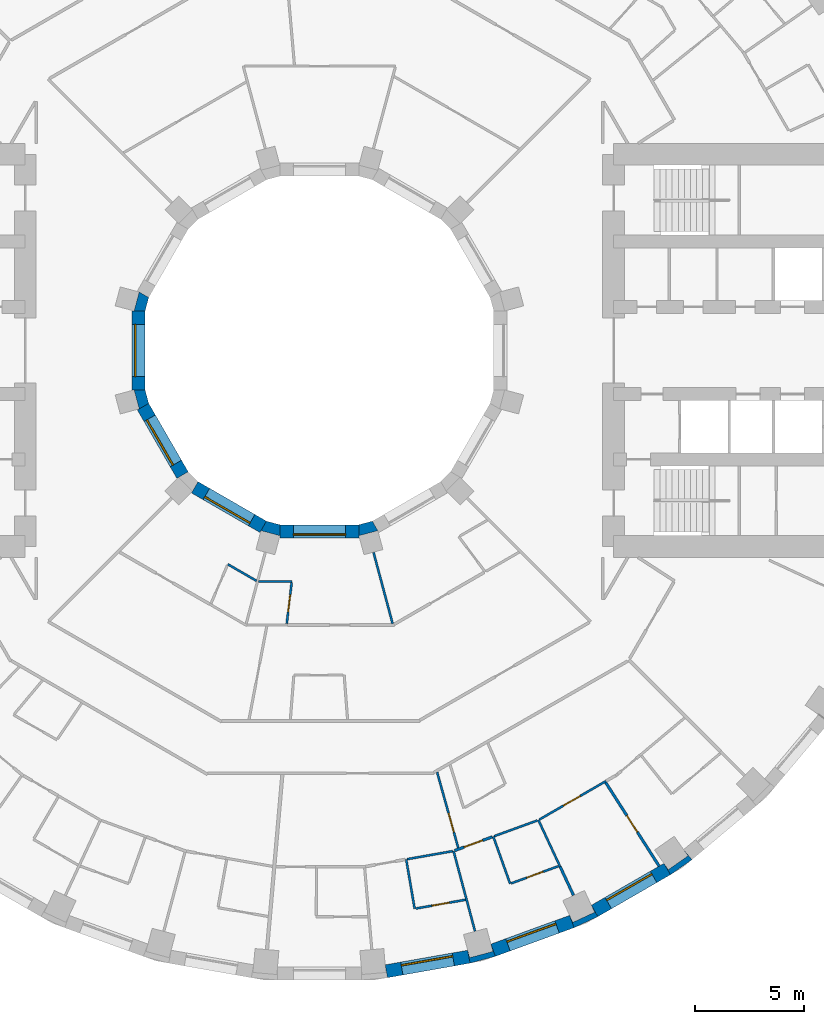
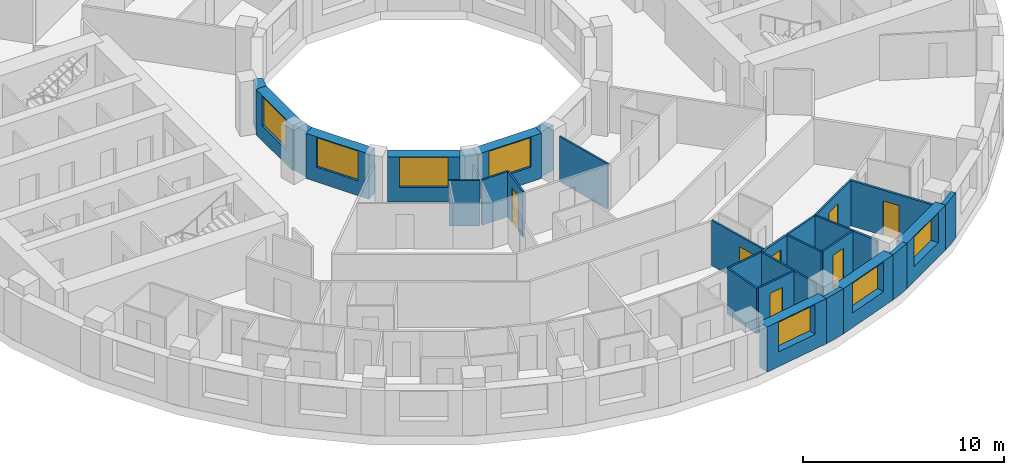
# One storey, part 7 of 15: 31 walls, 7 doors, 7 windows, 14 openings.
"""IFC4 building model written with IfcOpenShell, lengths in metres."""

from ifc_helpers import new_model, si_unit, direction, frame, frame_2d, origin, place, context, subcontext, project, spatial, polyline, rectangle, outline, extrude, material, layer, layer_set, type_object, element, fill, save


model = new_model("IFC4")

# Units and contexts
model_context = context("Model", 3, precision=1e-05, world=origin(), true_north=direction((0.0, 1.0)))
body_context = subcontext(model_context, "Body", "Model", "MODEL_VIEW")
ifc_project = project(units=[si_unit("LENGTHUNIT", "METRE"), si_unit("AREAUNIT", "SQUARE_METRE"), si_unit("VOLUMEUNIT", "CUBIC_METRE"), si_unit("PLANEANGLEUNIT", "RADIAN"), si_unit("MASSUNIT", "GRAM", prefix="KILO")], contexts=[model_context])

# Site, building, storey
site_placement = place(None, origin())
site = spatial("IfcSite", under=ifc_project, at=site_placement, CompositionType="ELEMENT")
building_placement = place(site_placement, origin())
building = spatial("IfcBuilding", under=site, at=building_placement, Name="Saqina Gate Tower", CompositionType="ELEMENT")
storey_placement = place(building_placement, frame((0.0, 0.0, 75.800048828125)))
storey = spatial("IfcBuildingStorey", under=building, at=storey_placement, Name="L21", CompositionType="ELEMENT", Elevation=75.800048828125)

# Walls
ifc_material_1 = material(Name="Brick masonry (red)", Category="masonry")
wall_type_1 = type_object("IfcWallType", Name="BRICK PIER COPING RED", PredefinedType="SOLIDWALL", material=ifc_material_1)
wall_1_placement = place(storey_placement, origin())
element("IfcWall", 1, at=wall_1_placement, inside=storey, type_object=wall_type_1, Name="Pier cap L21 column 29", PredefinedType="SOLIDWALL", context=body_context, shape_type="SweptSolid", body=[
    extrude(outline(polyline([(6.910400390625, -28.11669921875), (8.073974609375, -27.80517578125), (7.86865234375, -27.2412109375), (7.95947265625, -27.57958984375), (6.896728515625, -27.864501953125), (6.80615234375, -27.52587890625), (6.910400390625, -28.11669921875)])), origin(), (0.0, 0.0, 1.0), 2.75),
])
wall_2_placement = place(storey_placement, origin())
element("IfcWall", 2, at=wall_2_placement, inside=storey, type_object=wall_type_1, Name="Pier cap L21 column 30", PredefinedType="SOLIDWALL", context=body_context, shape_type="SweptSolid", body=[
    extrude(outline(polyline([(12.779541015625, -25.980712890625), (12.4794921875, -25.4609375), (12.627685546875, -25.778564453125), (11.630615234375, -26.243408203125), (11.482666015625, -25.92578125), (11.687744140625, -26.48974609375), (12.779541015625, -25.980712890625)])), origin(), (0.0, 0.0, 1.0), 2.75),
])
wall_3_placement = place(storey_placement, origin())
element("IfcWall", 3, at=wall_3_placement, inside=storey, type_object=wall_type_1, Name="Pier cap L21 column 31", PredefinedType="SOLIDWALL", context=body_context, shape_type="SweptSolid", body=[
    extrude(outline(polyline([(16.110107421875, -24.0576171875), (17.096923828125, -23.36669921875), (16.711181640625, -22.9072265625), (16.912109375, -23.194091796875), (16.010986328125, -23.8251953125), (15.81005859375, -23.5380859375), (16.110107421875, -24.0576171875)])), origin(), (0.0, 0.0, 1.0), 2.75),
])

# Wall, opening, window
ifc_material_2 = material(Name="Brick masonry (red)", Category="masonry")
ifc_layer_1 = layer(ifc_material_2, 0.60009765625)
ifc_layer_set_1 = layer_set([ifc_layer_1], Name="FW-BRICK-RED")
wall_type_2 = type_object("IfcWallType", Name="FW-BRICK-RED", PredefinedType="SOLIDWALL", material=ifc_layer_set_1)
wall_4_placement = place(storey_placement, frame((3.07080078125, -28.4892578125, 0.0), z_axis=(0.0, 0.0, 1.0), x_axis=(0.984800809218, 0.173687553279, 0.0)))
wall_4 = element("IfcWall", 4, at=wall_4_placement, inside=storey, type_object=wall_type_2, Name="Facade wall L21 facet 28", PredefinedType="SOLIDWALL", context=body_context, shape_type="SweptSolid", body=[
    extrude(rectangle(XDim=3.845703125, YDim=0.60009765625, at=frame_2d((1.9228515625, 0.0))), origin(), (0.0, 0.0, 1.0), 2.75),
])
opening_1_placement = place(wall_4_placement, frame((0.722900390625, 0.0, 0.89990234375)))
opening_1 = element("IfcOpeningElement", 5, at=opening_1_placement, cuts=wall_4, Name="Opening G06-W17", PredefinedType="OPENING", context=body_context, shape_type="SweptSolid", body=[
    extrude(rectangle(XDim=2.39990234375, YDim=1.800048828125, at=frame_2d((1.199951171875, 0.89990234375))), frame((0.0, 0.31201171875, 0.0), z_axis=(0.0, -1.0, 0.0), x_axis=(1.0, 0.0, 0.0)), (0.0, 0.0, 1.0), 0.6240234375),
])
ifc_material_3 = material(Name="Aluminium glazing", Category="aluminium")
window_type_1 = type_object("IfcWindowType", Name="WN-A", PartitioningType="SINGLE_PANEL", PredefinedType="WINDOW", material=ifc_material_3)
window_1_placement = place(opening_1_placement, origin())
window_1 = element("IfcWindow", 6, at=window_1_placement, inside=storey, type_object=window_type_1, Name="Window L21 facet 28", OverallHeight=1.800048828125, OverallWidth=2.39990234375, PartitioningType="SINGLE_PANEL", PredefinedType="WINDOW", context=body_context, shape_type="SweptSolid", body=[
    extrude(rectangle(XDim=2.39990234375, YDim=1.800048828125, at=frame_2d((1.199951171875, 0.89990234375))), frame((0.0, 0.179931640625, 0.0), z_axis=(0.0, -1.0, 0.0), x_axis=(1.0, 0.0, 0.0)), (0.0, 0.0, 1.0), 0.06005859375),
])
fill(opening_1, window_1)

wall_5_placement = place(storey_placement, frame((7.97119140625, -27.523193359375, 0.0), z_axis=(0.0, 0.0, 1.0), x_axis=(0.939689588564, 0.342028474173, 0.0)))
wall_5 = element("IfcWall", 7, at=wall_5_placement, inside=storey, type_object=wall_type_2, Name="Facade wall L21 facet 29", PredefinedType="SOLIDWALL", context=body_context, shape_type="SweptSolid", body=[
    extrude(rectangle(XDim=3.845947265625, YDim=0.60009765625, at=frame_2d((1.9228515625, 0.0))), origin(), (0.0, 0.0, 1.0), 2.75),
])
opening_2_placement = place(wall_5_placement, frame((0.722900390625, 0.0, 0.89990234375)))
opening_2 = element("IfcOpeningElement", 8, at=opening_2_placement, cuts=wall_5, Name="Opening G06-W18", PredefinedType="OPENING", context=body_context, shape_type="SweptSolid", body=[
    extrude(rectangle(XDim=2.39990234375, YDim=1.800048828125, at=frame_2d((1.199951171875, 0.89990234375))), frame((0.0, 0.31201171875, 0.0), z_axis=(0.0, -1.0, 0.0), x_axis=(1.0, 0.0, 0.0)), (0.0, 0.0, 1.0), 0.6240234375),
])
window_2_placement = place(opening_2_placement, origin())
window_2 = element("IfcWindow", 9, at=window_2_placement, inside=storey, type_object=window_type_1, Name="Window L21 facet 29", OverallHeight=1.800048828125, OverallWidth=2.39990234375, PartitioningType="SINGLE_PANEL", PredefinedType="WINDOW", context=body_context, shape_type="SweptSolid", body=[
    extrude(rectangle(XDim=2.39990234375, YDim=1.800048828125, at=frame_2d((1.199951171875, 0.89990234375))), frame((0.0, 0.179931640625, 0.0), z_axis=(0.0, -1.0, 0.0), x_axis=(1.0, 0.0, 0.0)), (0.0, 0.0, 1.0), 0.06005859375),
])
fill(opening_2, window_2)

wall_6_placement = place(storey_placement, frame((12.629638671875, -25.720703125, 0.0), z_axis=(0.0, 0.0, 1.0), x_axis=(0.86603124159, 0.499989888488, 0.0)))
wall_6 = element("IfcWall", 10, at=wall_6_placement, inside=storey, type_object=wall_type_2, Name="Facade wall L21 facet 30", PredefinedType="SOLIDWALL", context=body_context, shape_type="SweptSolid", body=[
    extrude(rectangle(XDim=3.845703125, YDim=0.60009765625, at=frame_2d((1.9228515625, 0.0))), origin(), (0.0, 0.0, 1.0), 2.75),
])
opening_3_placement = place(wall_6_placement, frame((0.722900390625, 0.0, 0.89990234375)))
opening_3 = element("IfcOpeningElement", 11, at=opening_3_placement, cuts=wall_6, Name="Opening G06-W19", PredefinedType="OPENING", context=body_context, shape_type="SweptSolid", body=[
    extrude(rectangle(XDim=2.39990234375, YDim=1.800048828125, at=frame_2d((1.199951171875, 0.89990234375))), frame((0.0, 0.31201171875, 0.0), z_axis=(0.0, -1.0, 0.0), x_axis=(1.0, 0.0, 0.0)), (0.0, 0.0, 1.0), 0.6240234375),
])
window_3_placement = place(opening_3_placement, origin())
window_3 = element("IfcWindow", 12, at=window_3_placement, inside=storey, type_object=window_type_1, Name="Window L21 facet 30", OverallHeight=1.800048828125, OverallWidth=2.39990234375, PartitioningType="SINGLE_PANEL", PredefinedType="WINDOW", context=body_context, shape_type="SweptSolid", body=[
    extrude(rectangle(XDim=2.39990234375, YDim=1.800048828125, at=frame_2d((1.199951171875, 0.89990234375))), frame((0.0, 0.179931640625, 0.0), z_axis=(0.0, -1.0, 0.0), x_axis=(1.0, 0.0, 0.0)), (0.0, 0.0, 1.0), 0.06005859375),
])
fill(opening_3, window_3)

ifc_material_4 = material(Name="Glazed ceramic tile", Category="ceramic")
ifc_layer_2 = layer(ifc_material_4, 0.60009765625)
ifc_layer_set_2 = layer_set([ifc_layer_2], Name="IW-TILE")
wall_type_3 = type_object("IfcWallType", Name="IW-TILE", PredefinedType="SOLIDWALL", material=ifc_layer_set_2)
wall_7_placement = place(storey_placement, frame((-8.300048828125, 1.8125, 0.0), z_axis=(0.0, 0.0, 1.0), x_axis=(0.0, -1.0, 0.0)))
wall_7 = element("IfcWall", 13, at=wall_7_placement, inside=storey, type_object=wall_type_3, Name="Well wall L21 facet 6", PredefinedType="SOLIDWALL", context=body_context, shape_type="SweptSolid", body=[
    extrude(rectangle(XDim=3.625, YDim=0.60009765625, at=frame_2d((1.8125, 0.0))), origin(), (0.0, 0.0, 1.0), 2.75),
])
opening_4_placement = place(wall_7_placement, frame((0.612548828125, 0.0, 0.89990234375)))
opening_4 = element("IfcOpeningElement", 14, at=opening_4_placement, cuts=wall_7, Name="Opening G06-W28", PredefinedType="OPENING", context=body_context, shape_type="SweptSolid", body=[
    extrude(rectangle(XDim=2.39990234375, YDim=1.800048828125, at=frame_2d((1.199951171875, 0.89990234375))), frame((0.0, 0.31201171875, 0.0), z_axis=(0.0, -1.0, 0.0), x_axis=(1.0, 0.0, 0.0)), (0.0, 0.0, 1.0), 0.6240234375),
])
ifc_material_5 = material(Name="Aluminium glazing", Category="aluminium")
window_type_2 = type_object("IfcWindowType", Name="WN-W", PartitioningType="SINGLE_PANEL", PredefinedType="WINDOW", material=ifc_material_5)
window_4_placement = place(opening_4_placement, origin())
window_4 = element("IfcWindow", 15, at=window_4_placement, inside=storey, type_object=window_type_2, Name="Well window L21 facet 6", OverallHeight=1.800048828125, OverallWidth=2.39990234375, PartitioningType="SINGLE_PANEL", PredefinedType="WINDOW", context=body_context, shape_type="SweptSolid", body=[
    extrude(rectangle(XDim=2.39990234375, YDim=1.800048828125, at=frame_2d((1.199951171875, 0.89990234375))), frame((0.0, -0.119873046875, 0.0), z_axis=(0.0, -1.0, 0.0), x_axis=(1.0, 0.0, 0.0)), (0.0, 0.0, 1.0), 0.06005859375),
])
fill(opening_4, window_4)

wall_8_placement = place(storey_placement, frame((-8.09423828125, -2.580322265625, 0.0), z_axis=(0.0, 0.0, 1.0), x_axis=(0.499992569217, -0.866029693906, 0.0)))
wall_8 = element("IfcWall", 16, at=wall_8_placement, inside=storey, type_object=wall_type_3, Name="Well wall L21 facet 7", PredefinedType="SOLIDWALL", context=body_context, shape_type="SweptSolid", body=[
    extrude(rectangle(XDim=3.625, YDim=0.60009765625, at=frame_2d((1.8125, 0.0))), origin(), (0.0, 0.0, 1.0), 2.75),
])
opening_5_placement = place(wall_8_placement, frame((0.612548828125, 0.0, 0.89990234375)))
opening_5 = element("IfcOpeningElement", 17, at=opening_5_placement, cuts=wall_8, Name="Opening G06-W29", PredefinedType="OPENING", context=body_context, shape_type="SweptSolid", body=[
    extrude(rectangle(XDim=2.39990234375, YDim=1.800048828125, at=frame_2d((1.199951171875, 0.89990234375))), frame((0.0, 0.31201171875, 0.0), z_axis=(0.0, -1.0, 0.0), x_axis=(1.0, 0.0, 0.0)), (0.0, 0.0, 1.0), 0.6240234375),
])
window_5_placement = place(opening_5_placement, origin())
window_5 = element("IfcWindow", 18, at=window_5_placement, inside=storey, type_object=window_type_2, Name="Well window L21 facet 7", OverallHeight=1.800048828125, OverallWidth=2.39990234375, PartitioningType="SINGLE_PANEL", PredefinedType="WINDOW", context=body_context, shape_type="SweptSolid", body=[
    extrude(rectangle(XDim=2.39990234375, YDim=1.800048828125, at=frame_2d((1.199951171875, 0.89990234375))), frame((0.0, -0.119873046875, 0.0), z_axis=(0.0, -1.0, 0.0), x_axis=(1.0, 0.0, 0.0)), (0.0, 0.0, 1.0), 0.06005859375),
])
fill(opening_5, window_5)

wall_9_placement = place(storey_placement, frame((-5.7197265625, -6.28173828125, 0.0), z_axis=(0.0, 0.0, 1.0), x_axis=(0.866029693906, -0.499992569217, 0.0)))
wall_9 = element("IfcWall", 19, at=wall_9_placement, inside=storey, type_object=wall_type_3, Name="Well wall L21 facet 8", PredefinedType="SOLIDWALL", context=body_context, shape_type="SweptSolid", body=[
    extrude(rectangle(XDim=3.625, YDim=0.60009765625, at=frame_2d((1.8125, 0.0))), origin(), (0.0, 0.0, 1.0), 2.75),
])
opening_6_placement = place(wall_9_placement, frame((0.612548828125, 0.0, 0.89990234375)))
opening_6 = element("IfcOpeningElement", 20, at=opening_6_placement, cuts=wall_9, Name="Opening G06-W30", PredefinedType="OPENING", context=body_context, shape_type="SweptSolid", body=[
    extrude(rectangle(XDim=2.39990234375, YDim=1.800048828125, at=frame_2d((1.199951171875, 0.89990234375))), frame((0.0, 0.31201171875, 0.0), z_axis=(0.0, -1.0, 0.0), x_axis=(1.0, 0.0, 0.0)), (0.0, 0.0, 1.0), 0.6240234375),
])
window_6_placement = place(opening_6_placement, origin())
window_6 = element("IfcWindow", 21, at=window_6_placement, inside=storey, type_object=window_type_2, Name="Well window L21 facet 8", OverallHeight=1.800048828125, OverallWidth=2.39990234375, PartitioningType="SINGLE_PANEL", PredefinedType="WINDOW", context=body_context, shape_type="SweptSolid", body=[
    extrude(rectangle(XDim=2.39990234375, YDim=1.800048828125, at=frame_2d((1.199951171875, 0.89990234375))), frame((0.0, -0.119873046875, 0.0), z_axis=(0.0, -1.0, 0.0), x_axis=(1.0, 0.0, 0.0)), (0.0, 0.0, 1.0), 0.06005859375),
])
fill(opening_6, window_6)

wall_10_placement = place(storey_placement, frame((-1.8125, -8.300048828125, 0.0), z_axis=(0.0, 0.0, 1.0), x_axis=(1.0, 0.0, 0.0)))
wall_10 = element("IfcWall", 22, at=wall_10_placement, inside=storey, type_object=wall_type_3, Name="Well wall L21 facet 9", PredefinedType="SOLIDWALL", context=body_context, shape_type="SweptSolid", body=[
    extrude(rectangle(XDim=3.625, YDim=0.60009765625, at=frame_2d((1.8125, 0.0))), origin(), (0.0, 0.0, 1.0), 2.75),
])
opening_7_placement = place(wall_10_placement, frame((0.612548828125, 0.0, 0.89990234375)))
opening_7 = element("IfcOpeningElement", 23, at=opening_7_placement, cuts=wall_10, Name="Opening G06-W31", PredefinedType="OPENING", context=body_context, shape_type="SweptSolid", body=[
    extrude(rectangle(XDim=2.39990234375, YDim=1.800048828125, at=frame_2d((1.199951171875, 0.89990234375))), frame((0.0, 0.31201171875, 0.0), z_axis=(0.0, -1.0, 0.0), x_axis=(1.0, 0.0, 0.0)), (0.0, 0.0, 1.0), 0.6240234375),
])
window_7_placement = place(opening_7_placement, origin())
window_7 = element("IfcWindow", 24, at=window_7_placement, inside=storey, type_object=window_type_2, Name="Well window L21 facet 9", OverallHeight=1.800048828125, OverallWidth=2.39990234375, PartitioningType="SINGLE_PANEL", PredefinedType="WINDOW", context=body_context, shape_type="SweptSolid", body=[
    extrude(rectangle(XDim=2.39990234375, YDim=1.800048828125, at=frame_2d((1.199951171875, 0.89990234375))), frame((0.0, -0.119873046875, 0.0), z_axis=(0.0, -1.0, 0.0), x_axis=(1.0, 0.0, 0.0)), (0.0, 0.0, 1.0), 0.06005859375),
])
fill(opening_7, window_7)

# Walls
ifc_material_6 = material(Name="Gypsum board on steel studs, 100 mm", Category="steel")
ifc_layer_3 = layer(ifc_material_6, 0.10009765625)
ifc_layer_set_3 = layer_set([ifc_layer_3], Name="PARTITION 100")
wall_type_4 = type_object("IfcWallType", Name="PARTITION 100", PredefinedType="PARTITIONING", material=ifc_layer_set_3)
wall_11_placement = place(storey_placement, frame((3.98291015625, -23.35302734375, 0.0), z_axis=(0.0, 0.0, 1.0), x_axis=(0.168356840278, -0.985726115273, 0.0)))
element("IfcWall", 25, at=wall_11_placement, inside=storey, type_object=wall_type_4, Name="PARTITION PW3-04", PredefinedType="PARTITIONING", context=body_context, shape_type="SweptSolid", body=[
    extrude(rectangle(XDim=2.2998046875, YDim=0.10009765625, at=frame_2d((1.14990234375, 0.0))), origin(), (0.0, 0.0, 1.0), 2.75),
])
wall_12_placement = place(storey_placement, frame((6.155029296875, -22.969970703125, 0.0), z_axis=(0.0, 0.0, 1.0), x_axis=(0.258575921205, -0.965990938349, 0.0)))
element("IfcWall", 26, at=wall_12_placement, inside=storey, type_object=wall_type_4, Name="PARTITION PW3-07", PredefinedType="PARTITIONING", context=body_context, shape_type="SweptSolid", body=[
    extrude(rectangle(XDim=3.809814453125, YDim=0.10009765625, at=frame_2d((1.90478515625, 0.0))), origin(), (0.0, 0.0, 1.0), 2.75),
])
wall_13_placement = place(storey_placement, frame((2.48291015625, -9.265380859375, 0.0), z_axis=(0.0, 0.0, 1.0), x_axis=(0.258787687785, -0.965934227911, 0.0)))
element("IfcWall", 27, at=wall_13_placement, inside=storey, type_object=wall_type_4, Name="PARTITION PW3-09", PredefinedType="PARTITIONING", context=body_context, shape_type="SweptSolid", body=[
    extrude(rectangle(XDim=3.3896484375, YDim=0.10009765625, at=frame_2d((1.69482421875, 0.0))), origin(), (0.0, 0.0, 1.0), 2.75),
])

# Wall, opening, door
wall_14_placement = place(storey_placement, frame((5.401123046875, -19.35302734375, 0.0), z_axis=(0.0, 0.0, 1.0), x_axis=(0.268838425597, -0.963185288988, 0.0)))
wall_14 = element("IfcWall", 28, at=wall_14_placement, inside=storey, type_object=wall_type_4, Name="PARTITION PW3-10", PredefinedType="PARTITIONING", context=body_context, shape_type="SweptSolid", body=[
    extrude(rectangle(XDim=3.6044921875, YDim=0.10009765625, at=frame_2d((1.80224609375, 0.0))), origin(), (0.0, 0.0, 1.0), 2.75),
])
opening_8_placement = place(wall_14_placement, frame((1.952392578125, 0.0, 0.0)))
opening_8 = element("IfcOpeningElement", 29, at=opening_8_placement, cuts=wall_14, Name="Opening G06-D60", PredefinedType="OPENING", context=body_context, shape_type="SweptSolid", body=[
    extrude(rectangle(XDim=0.89990234375, YDim=2.10009765625, at=frame_2d((0.449951171875, 1.050048828125))), frame((0.0, 0.06201171875, 0.0), z_axis=(0.0, -1.0, 0.0), x_axis=(1.0, 0.0, 0.0)), (0.0, 0.0, 1.0), 0.1240234375),
])
ifc_material_7 = material(Name="Timber door leaf, 900 mm", Category="wood")
door_type_1 = type_object("IfcDoorType", Name="DOOR 900 TIMBER", OperationType="SINGLE_SWING_LEFT", PredefinedType="DOOR", material=ifc_material_7)
door_1_placement = place(opening_8_placement, origin())
door_1 = element("IfcDoor", 30, at=door_1_placement, inside=storey, type_object=door_type_1, Name="DOOR G06-D60", OperationType="SINGLE_SWING_LEFT", OverallHeight=2.10009765625, OverallWidth=0.89990234375, PredefinedType="DOOR", context=body_context, shape_type="SweptSolid", body=[
    extrude(rectangle(XDim=0.89990234375, YDim=2.10009765625, at=frame_2d((0.449951171875, 1.050048828125))), frame((0.0, 0.02490234375, 0.0), z_axis=(0.0, -1.0, 0.0), x_axis=(1.0, 0.0, 0.0)), (0.0, 0.0, 1.0), 0.050048828125),
])
fill(opening_8, door_1)

# Walls
wall_15_placement = place(storey_placement, frame((7.97802734375, -22.305908203125, 0.0), z_axis=(0.0, 0.0, 1.0), x_axis=(0.336470872414, -0.941693873834, 0.0)))
element("IfcWall", 31, at=wall_15_placement, inside=storey, type_object=wall_type_4, Name="PARTITION PW3-12", PredefinedType="PARTITIONING", context=body_context, shape_type="SweptSolid", body=[
    extrude(rectangle(XDim=2.300048828125, YDim=0.10009765625, at=frame_2d((1.14990234375, 0.0))), origin(), (0.0, 0.0, 1.0), 2.75),
])
wall_16_placement = place(storey_placement, frame((10.050048828125, -21.552001953125, 0.0), z_axis=(0.0, 0.0, 1.0), x_axis=(0.422500217466, -0.906362822627, 0.0)))
element("IfcWall", 32, at=wall_16_placement, inside=storey, type_object=wall_type_4, Name="PARTITION PW3-18", PredefinedType="PARTITIONING", context=body_context, shape_type="SweptSolid", body=[
    extrude(rectangle(XDim=2.359375, YDim=0.10009765625, at=frame_2d((1.1796875, 0.0))), origin(), (0.0, 0.0, 1.0), 2.75),
])
wall_17_placement = place(storey_placement, frame((-4.202880859375, -9.81298828125, 0.0), z_axis=(0.0, 0.0, 1.0), x_axis=(0.865996139065, -0.500050684555, 0.0)))
element("IfcWall", 33, at=wall_17_placement, inside=storey, type_object=wall_type_4, Name="PARTITION PW3-42", PredefinedType="PARTITIONING", context=body_context, shape_type="SweptSolid", body=[
    extrude(rectangle(XDim=1.523681640625, YDim=0.10009765625, at=frame_2d((0.76171875, 0.0))), origin(), (0.0, 0.0, 1.0), 2.75),
])
wall_18_placement = place(storey_placement, frame((-2.7900390625, -10.60009765625, 0.0), z_axis=(0.0, 0.0, 1.0), x_axis=(1.0, 0.0, 0.0)))
element("IfcWall", 34, at=wall_18_placement, inside=storey, type_object=wall_type_4, Name="PARTITION PW3-60", PredefinedType="PARTITIONING", context=body_context, shape_type="SweptSolid", body=[
    extrude(rectangle(XDim=1.52294921875, YDim=0.10009765625, at=frame_2d((0.761474609375, 0.0))), origin(), (0.0, 0.0, 1.0), 2.75),
])

# Wall, opening, door
wall_19_placement = place(storey_placement, frame((4.419189453125, -25.611328125, 0.0), z_axis=(0.0, 0.0, 1.0), x_axis=(0.984814280308, 0.173611155466, 0.0)))
wall_19 = element("IfcWall", 35, at=wall_19_placement, inside=storey, type_object=wall_type_4, Name="PARTITION PW3-63", PredefinedType="PARTITIONING", context=body_context, shape_type="SweptSolid", body=[
    extrude(rectangle(XDim=2.31884765625, YDim=0.10009765625, at=frame_2d((1.159423828125, 0.0))), origin(), (0.0, 0.0, 1.0), 2.75),
])
opening_9_placement = place(wall_19_placement, frame((0.759521484375, 0.0, 0.0)))
opening_9 = element("IfcOpeningElement", 36, at=opening_9_placement, cuts=wall_19, Name="Opening G06-D59", PredefinedType="OPENING", context=body_context, shape_type="SweptSolid", body=[
    extrude(rectangle(XDim=0.800048828125, YDim=2.10009765625, at=frame_2d((0.39990234375, 1.050048828125))), frame((0.0, 0.06201171875, 0.0), z_axis=(0.0, -1.0, 0.0), x_axis=(1.0, 0.0, 0.0)), (0.0, 0.0, 1.0), 0.1240234375),
])
ifc_material_8 = material(Name="Timber door leaf, 800 mm", Category="wood")
door_type_2 = type_object("IfcDoorType", Name="DOOR 800 TIMBER", OperationType="SINGLE_SWING_LEFT", PredefinedType="DOOR", material=ifc_material_8)
door_2_placement = place(opening_9_placement, frame((0.800048828125, 0.0, 0.0), z_axis=(0.0, 0.0, 1.0), x_axis=(-1.0, 0.0, 0.0)))
door_2 = element("IfcDoor", 37, at=door_2_placement, inside=storey, type_object=door_type_2, Name="DOOR G06-D59", OperationType="SINGLE_SWING_LEFT", OverallHeight=2.10009765625, OverallWidth=0.800048828125, PredefinedType="DOOR", context=body_context, shape_type="SweptSolid", body=[
    extrude(rectangle(XDim=0.800048828125, YDim=2.10009765625, at=frame_2d((0.39990234375, 1.050048828125))), frame((0.0, 0.02490234375, 0.0), z_axis=(0.0, -1.0, 0.0), x_axis=(1.0, 0.0, 0.0)), (0.0, 0.0, 1.0), 0.050048828125),
])
fill(opening_9, door_2)

# Wall
wall_20_placement = place(storey_placement, frame((4.0322265625, -23.34423828125, 0.0), z_axis=(0.0, 0.0, 1.0), x_axis=(0.984818559242, 0.173586881336, 0.0)))
element("IfcWall", 38, at=wall_20_placement, inside=storey, type_object=wall_type_4, Name="PARTITION PW3-64", PredefinedType="PARTITIONING", context=body_context, shape_type="SweptSolid", body=[
    extrude(rectangle(XDim=2.10546875, YDim=0.10009765625, at=frame_2d((1.052734375, 0.0))), origin(), (0.0, 0.0, 1.0), 2.75),
])

# Wall, opening, door
wall_21_placement = place(storey_placement, frame((8.799072265625, -24.454833984375, 0.0), z_axis=(0.0, 0.0, 1.0), x_axis=(0.939774884543, 0.341794040882, 0.0)))
wall_21 = element("IfcWall", 39, at=wall_21_placement, inside=storey, type_object=wall_type_4, Name="PARTITION PW3-67", PredefinedType="PARTITIONING", context=body_context, shape_type="SweptSolid", body=[
    extrude(rectangle(XDim=2.30712890625, YDim=0.10009765625, at=frame_2d((1.153564453125, 0.0))), origin(), (0.0, 0.0, 1.0), 2.75),
])
opening_10_placement = place(wall_21_placement, frame((0.760009765625, 0.0, 0.0)))
opening_10 = element("IfcOpeningElement", 40, at=opening_10_placement, cuts=wall_21, Name="Opening G06-D63", PredefinedType="OPENING", context=body_context, shape_type="SweptSolid", body=[
    extrude(rectangle(XDim=0.800048828125, YDim=2.10009765625, at=frame_2d((0.39990234375, 1.050048828125))), frame((0.0, 0.06201171875, 0.0), z_axis=(0.0, -1.0, 0.0), x_axis=(1.0, 0.0, 0.0)), (0.0, 0.0, 1.0), 0.1240234375),
])
door_3_placement = place(opening_10_placement, frame((0.800048828125, 0.0, 0.0), z_axis=(0.0, 0.0, 1.0), x_axis=(-1.0, 0.0, 0.0)))
door_3 = element("IfcDoor", 41, at=door_3_placement, inside=storey, type_object=door_type_2, Name="DOOR G06-D63", OperationType="SINGLE_SWING_LEFT", OverallHeight=2.10009765625, OverallWidth=0.800048828125, PredefinedType="DOOR", context=body_context, shape_type="SweptSolid", body=[
    extrude(rectangle(XDim=0.800048828125, YDim=2.10009765625, at=frame_2d((0.39990234375, 1.050048828125))), frame((0.0, 0.02490234375, 0.0), z_axis=(0.0, -1.0, 0.0), x_axis=(1.0, 0.0, 0.0)), (0.0, 0.0, 1.0), 0.050048828125),
])
fill(opening_10, door_3)

# Wall
wall_22_placement = place(storey_placement, frame((8.02490234375, -22.288818359375, 0.0), z_axis=(0.0, 0.0, 1.0), x_axis=(0.939725675468, 0.341929312674, 0.0)))
element("IfcWall", 42, at=wall_22_placement, inside=storey, type_object=wall_type_4, Name="PARTITION PW3-68", PredefinedType="PARTITIONING", context=body_context, shape_type="SweptSolid", body=[
    extrude(rectangle(XDim=2.10498046875, YDim=0.10009765625, at=frame_2d((1.052490234375, 0.0))), origin(), (0.0, 0.0, 1.0), 2.75),
])

# Wall, opening, door
wall_23_placement = place(storey_placement, frame((10.09326171875, -21.527099609375, 0.0), z_axis=(0.0, 0.0, 1.0), x_axis=(0.866092412582, 0.499883919394, 0.0)))
wall_23 = element("IfcWall", 43, at=wall_23_placement, inside=storey, type_object=wall_type_4, Name="PARTITION PW3-73", PredefinedType="PARTITIONING", context=body_context, shape_type="SweptSolid", body=[
    extrude(rectangle(XDim=3.533935546875, YDim=0.10009765625, at=frame_2d((1.76708984375, 0.0))), origin(), (0.0, 0.0, 1.0), 2.75),
])
opening_11_placement = place(wall_23_placement, frame((1.26708984375, 0.0, 0.0)))
opening_11 = element("IfcOpeningElement", 44, at=opening_11_placement, cuts=wall_23, Name="Opening G06-D65", PredefinedType="OPENING", context=body_context, shape_type="SweptSolid", body=[
    extrude(rectangle(XDim=0.89990234375, YDim=2.10009765625, at=frame_2d((0.449951171875, 1.050048828125))), frame((0.0, 0.06201171875, 0.0), z_axis=(0.0, -1.0, 0.0), x_axis=(1.0, 0.0, 0.0)), (0.0, 0.0, 1.0), 0.1240234375),
])
door_4_placement = place(opening_11_placement, origin())
door_4 = element("IfcDoor", 45, at=door_4_placement, inside=storey, type_object=door_type_1, Name="DOOR G06-D65", OperationType="SINGLE_SWING_LEFT", OverallHeight=2.10009765625, OverallWidth=0.89990234375, PredefinedType="DOOR", context=body_context, shape_type="SweptSolid", body=[
    extrude(rectangle(XDim=0.89990234375, YDim=2.10009765625, at=frame_2d((0.449951171875, 1.050048828125))), frame((0.0, 0.02490234375, 0.0), z_axis=(0.0, -1.0, 0.0), x_axis=(1.0, 0.0, 0.0)), (0.0, 0.0, 1.0), 0.050048828125),
])
fill(opening_11, door_4)

wall_24_placement = place(storey_placement, frame((-1.49853515625, -12.537841796875, 0.0), z_axis=(0.0, 0.0, 1.0), x_axis=(0.118628824783, 0.992938669773, 0.0)))
wall_24 = element("IfcWall", 46, at=wall_24_placement, inside=storey, type_object=wall_type_4, Name="PARTITION PW3-117", PredefinedType="PARTITIONING", context=body_context, shape_type="SweptSolid", body=[
    extrude(rectangle(XDim=1.901611328125, YDim=0.10009765625, at=frame_2d((0.95068359375, 0.0))), origin(), (0.0, 0.0, 1.0), 2.75),
])
opening_12_placement = place(wall_24_placement, frame((0.544677734375, 0.0, 0.0)))
opening_12 = element("IfcOpeningElement", 47, at=opening_12_placement, cuts=wall_24, Name="Opening G06-D52", PredefinedType="OPENING", context=body_context, shape_type="SweptSolid", body=[
    extrude(rectangle(XDim=0.800048828125, YDim=2.10009765625, at=frame_2d((0.39990234375, 1.050048828125))), frame((0.0, 0.06201171875, 0.0), z_axis=(0.0, -1.0, 0.0), x_axis=(1.0, 0.0, 0.0)), (0.0, 0.0, 1.0), 0.1240234375),
])
door_5_placement = place(opening_12_placement, frame((0.800048828125, 0.0, 0.0), z_axis=(0.0, 0.0, 1.0), x_axis=(-1.0, 0.0, 0.0)))
door_5 = element("IfcDoor", 48, at=door_5_placement, inside=storey, type_object=door_type_2, Name="DOOR G06-D52", OperationType="SINGLE_SWING_RIGHT", OverallHeight=2.10009765625, OverallWidth=0.800048828125, PredefinedType="DOOR", context=body_context, shape_type="SweptSolid", body=[
    extrude(rectangle(XDim=0.800048828125, YDim=2.10009765625, at=frame_2d((0.39990234375, 1.050048828125))), frame((0.0, 0.02490234375, 0.0), z_axis=(0.0, -1.0, 0.0), x_axis=(1.0, 0.0, 0.0)), (0.0, 0.0, 1.0), 0.050048828125),
])
fill(opening_12, door_5)

# Wall
ifc_material_9 = material(Name="Gypsum board on steel studs, 125 mm, fire rated", Category="steel")
ifc_layer_4 = layer(ifc_material_9, 0.125)
ifc_layer_set_4 = layer_set([ifc_layer_4], Name="PARTITION EI 30 125")
wall_type_5 = type_object("IfcWallType", Name="PARTITION EI 30 125", PredefinedType="PARTITIONING", material=ifc_layer_set_4)
wall_25_placement = place(storey_placement, frame((11.047119140625, -23.6904296875, 0.0), z_axis=(0.0, 0.0, 1.0), x_axis=(0.42247077632, -0.906376546009, 0.0)))
element("IfcWall", 49, at=wall_25_placement, inside=storey, type_object=wall_type_5, Name="PARTITION PW1-02", PredefinedType="PARTITIONING", context=body_context, shape_type="SweptSolid", body=[
    extrude(rectangle(XDim=1.450439453125, YDim=0.125, at=frame_2d((0.72509765625, 0.0))), origin(), (0.0, 0.0, 1.0), 2.75),
])

# Wall, opening, door
wall_26_placement = place(storey_placement, frame((13.137939453125, -19.828125, 0.0), z_axis=(0.0, 0.0, 1.0), x_axis=(0.538359660084, -0.842715181063, 0.0)))
wall_26 = element("IfcWall", 50, at=wall_26_placement, inside=storey, type_object=wall_type_5, Name="PARTITION PW1-09", PredefinedType="PARTITIONING", context=body_context, shape_type="SweptSolid", body=[
    extrude(rectangle(XDim=4.552978515625, YDim=0.125, at=frame_2d((2.2763671875, 0.0))), origin(), (0.0, 0.0, 1.0), 2.75),
])
opening_13_placement = place(wall_26_placement, frame((1.801513671875, 0.0, 0.0)))
opening_13 = element("IfcOpeningElement", 51, at=opening_13_placement, cuts=wall_26, Name="Opening G06-D67", PredefinedType="OPENING", context=body_context, shape_type="SweptSolid", body=[
    extrude(rectangle(XDim=0.89990234375, YDim=2.10009765625, at=frame_2d((0.449951171875, 1.050048828125))), frame((0.0, 0.074462890625, 0.0), z_axis=(0.0, -1.0, 0.0), x_axis=(1.0, 0.0, 0.0)), (0.0, 0.0, 1.0), 0.14892578125),
])
ifc_material_10 = material(Name="Fire door leaf EI 30, 900 mm")
door_type_3 = type_object("IfcDoorType", Name="DOOR 900 EI 30", OperationType="SINGLE_SWING_LEFT", PredefinedType="DOOR", material=ifc_material_10)
door_6_placement = place(opening_13_placement, origin())
door_6 = element("IfcDoor", 52, at=door_6_placement, inside=storey, type_object=door_type_3, Name="DOOR G06-D67", OperationType="SINGLE_SWING_LEFT", OverallHeight=2.10009765625, OverallWidth=0.89990234375, PredefinedType="DOOR", context=body_context, shape_type="SweptSolid", body=[
    extrude(rectangle(XDim=0.89990234375, YDim=2.10009765625, at=frame_2d((0.449951171875, 1.050048828125))), frame((0.0, 0.02490234375, 0.0), z_axis=(0.0, -1.0, 0.0), x_axis=(1.0, 0.0, 0.0)), (0.0, 0.0, 1.0), 0.050048828125),
])
fill(opening_13, door_6)

wall_27_placement = place(storey_placement, frame((6.201904296875, -22.952880859375, 0.0), z_axis=(0.0, 0.0, 1.0), x_axis=(0.939591829345, 0.342296938677, 0.0)))
wall_27 = element("IfcWall", 53, at=wall_27_placement, inside=storey, type_object=wall_type_5, Name="PARTITION PW1-38", PredefinedType="PARTITIONING", context=body_context, shape_type="SweptSolid", body=[
    extrude(rectangle(XDim=1.840087890625, YDim=0.125, at=frame_2d((0.919921875, 0.0))), origin(), (0.0, 0.0, 1.0), 2.75),
])
opening_14_placement = place(wall_27_placement, frame((0.47021484375, 0.0, 0.0)))
opening_14 = element("IfcOpeningElement", 54, at=opening_14_placement, cuts=wall_27, Name="Opening G06-D61", PredefinedType="OPENING", context=body_context, shape_type="SweptSolid", body=[
    extrude(rectangle(XDim=0.89990234375, YDim=2.10009765625, at=frame_2d((0.449951171875, 1.050048828125))), frame((0.0, 0.074462890625, 0.0), z_axis=(0.0, -1.0, 0.0), x_axis=(1.0, 0.0, 0.0)), (0.0, 0.0, 1.0), 0.14892578125),
])
door_7_placement = place(opening_14_placement, frame((0.89990234375, 0.0, 0.0), z_axis=(0.0, 0.0, 1.0), x_axis=(-1.0, 0.0, 0.0)))
door_7 = element("IfcDoor", 55, at=door_7_placement, inside=storey, type_object=door_type_3, Name="DOOR G06-D61", OperationType="SINGLE_SWING_LEFT", OverallHeight=2.10009765625, OverallWidth=0.89990234375, PredefinedType="DOOR", context=body_context, shape_type="SweptSolid", body=[
    extrude(rectangle(XDim=0.89990234375, YDim=2.10009765625, at=frame_2d((0.449951171875, 1.050048828125))), frame((0.0, 0.02490234375, 0.0), z_axis=(0.0, -1.0, 0.0), x_axis=(1.0, 0.0, 0.0)), (0.0, 0.0, 1.0), 0.050048828125),
])
fill(opening_14, door_7)

# Walls
ifc_material_11 = material(Name="Glazed ceramic tile", Category="ceramic")
wall_type_6 = type_object("IfcWallType", Name="TILE PIER COPING", PredefinedType="SOLIDWALL", material=ifc_material_11)
wall_28_placement = place(storey_placement, origin())
element("IfcWall", 56, at=wall_28_placement, inside=storey, type_object=wall_type_6, Name="Well pier cap L21 column 6", PredefinedType="SOLIDWALL", context=body_context, shape_type="SweptSolid", body=[
    extrude(outline(polyline([(-8.502685546875, 1.8125), (-8.0, 1.8125), (-7.83447265625, 2.430419921875), (-8.27001953125, 2.681884765625), (-8.502685546875, 1.8125)])), origin(), (0.0, 0.0, 1.0), 2.75),
])
wall_29_placement = place(storey_placement, origin())
element("IfcWall", 57, at=wall_29_placement, inside=storey, type_object=wall_type_6, Name="Well pier cap L21 column 7", PredefinedType="SOLIDWALL", context=body_context, shape_type="SweptSolid", body=[
    extrude(outline(polyline([(-8.27001953125, -2.681884765625), (-7.83447265625, -2.430419921875), (-8.0, -1.8125), (-8.502685546875, -1.8125), (-8.27001953125, -2.681884765625)])), origin(), (0.0, 0.0, 1.0), 2.75),
])
wall_30_placement = place(storey_placement, origin())
element("IfcWall", 58, at=wall_30_placement, inside=storey, type_object=wall_type_6, Name="Well pier cap L21 column 9", PredefinedType="SOLIDWALL", context=body_context, shape_type="SweptSolid", body=[
    extrude(outline(polyline([(-1.8125, -8.502685546875), (-1.8125, -8.0), (-2.430419921875, -7.83447265625), (-2.681884765625, -8.27001953125), (-1.8125, -8.502685546875)])), origin(), (0.0, 0.0, 1.0), 2.75),
])
wall_31_placement = place(storey_placement, origin())
element("IfcWall", 59, at=wall_31_placement, inside=storey, type_object=wall_type_6, Name="Well pier cap L21 column 10", PredefinedType="SOLIDWALL", context=body_context, shape_type="SweptSolid", body=[
    extrude(outline(polyline([(2.681884765625, -8.27001953125), (2.430419921875, -7.83447265625), (1.8125, -8.0), (1.8125, -8.502685546875), (2.681884765625, -8.27001953125)])), origin(), (0.0, 0.0, 1.0), 2.75),
])

save(model, "model.ifc")
